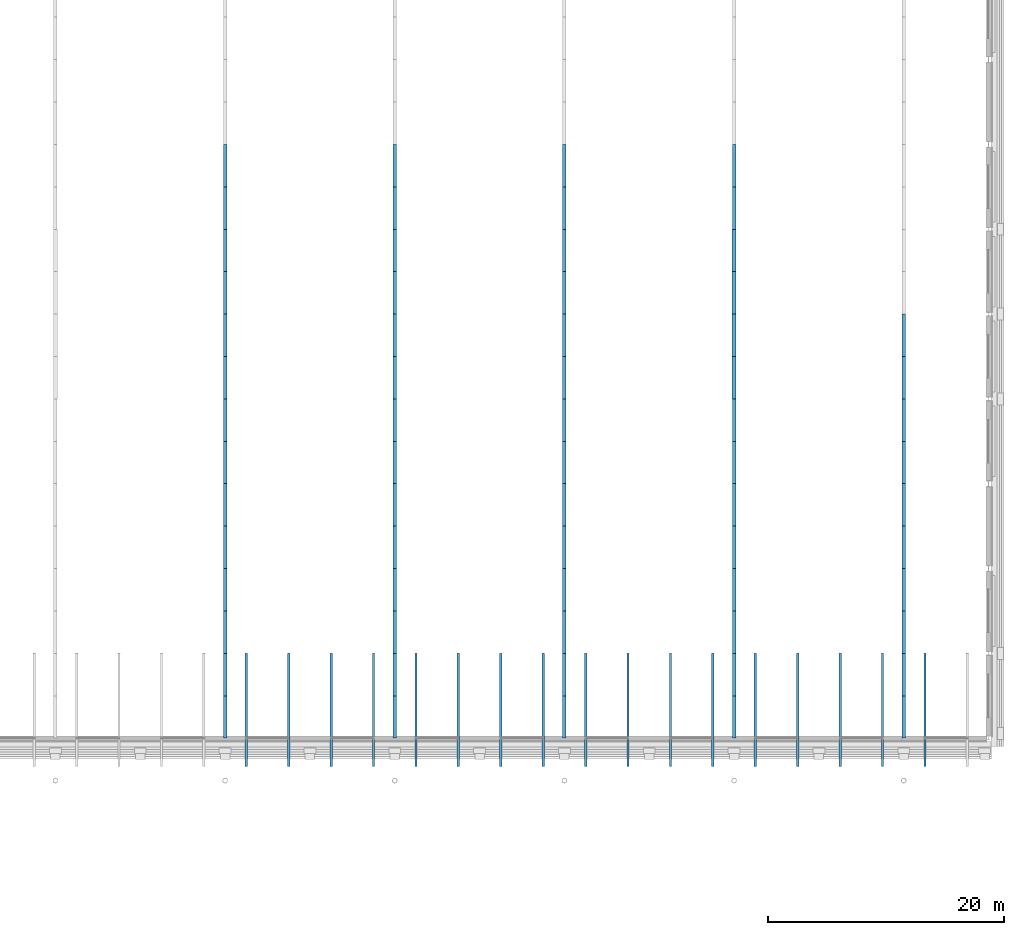
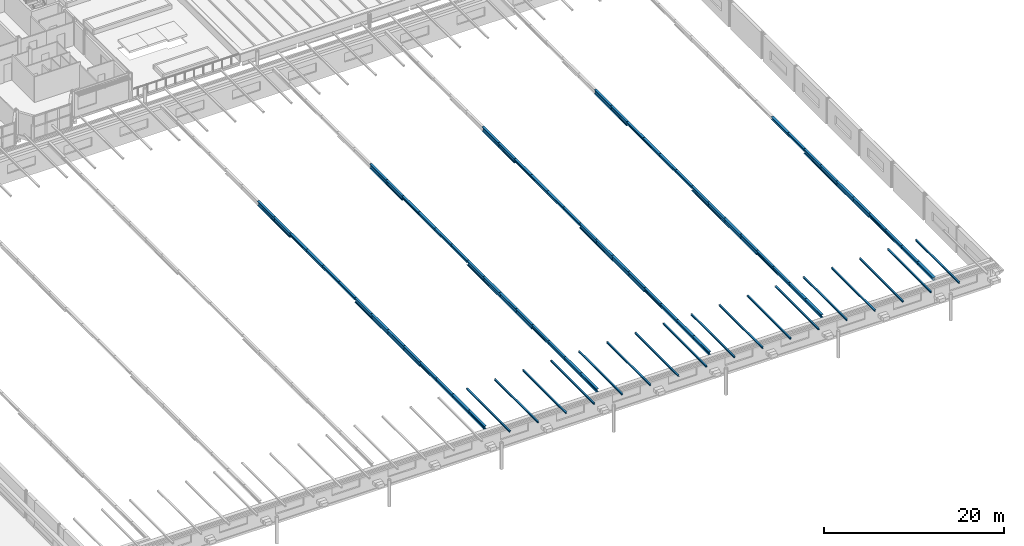
# One storey, part 30 of 110: 83 members.
"""IFC4 building model written with IfcOpenShell, lengths in metres."""

from ifc_helpers import new_model, si_unit, direction, frame, origin, origin_2d, place, context, subcontext, project, spatial, i_section, extrude, material, material_profile, profile_set, type_object, element, save


model = new_model("IFC4")

# Units and contexts
model_context = context("Model", 3, precision=1e-05, world=origin(), true_north=direction((0.0, 1.0)))
body_context = subcontext(model_context, "Body", "Model", "MODEL_VIEW")
ifc_project = project(units=[si_unit("LENGTHUNIT", "METRE"), si_unit("AREAUNIT", "SQUARE_METRE"), si_unit("VOLUMEUNIT", "CUBIC_METRE"), si_unit("PLANEANGLEUNIT", "RADIAN"), si_unit("MASSUNIT", "GRAM", prefix="KILO")], contexts=[model_context])

# Site, building, storey
site_placement = place(None, origin())
site = spatial("IfcSite", under=ifc_project, at=site_placement, CompositionType="ELEMENT")
building_placement = place(site_placement, origin())
building = spatial("IfcBuilding", under=site, at=building_placement, Name="Kupolbacken Congress Centre", CompositionType="ELEMENT")
storey_placement = place(building_placement, frame((0.0, 0.0, 18.0)))
storey = spatial("IfcBuildingStorey", under=building, at=storey_placement, Name="L05", CompositionType="ELEMENT", Elevation=18.0)

# Members
ifc_material_1 = material(Name="Steel S355", Category="steel")
ifc_material_profile_1 = material_profile(ifc_material_1, i_section(OverallWidth=0.31005859375, OverallDepth=0.340087890625, WebThickness=0.02099609375, FlangeThickness=0.0390625, FilletRadius=0.027099609375, at=origin_2d()), Name="HEM 300")
ifc_profile_set_1 = profile_set([ifc_material_profile_1], Name="Steel S355")
member_type_1 = type_object("IfcMemberType", Name="M01 transfer truss chord HEM 300", PredefinedType="CHORD", material=ifc_profile_set_1)
member_1_placement = place(storey_placement, frame((136.800048828125, 72.0, 3.429931640625), z_axis=(0.0, 1.0, 0.0), x_axis=(-1.0, 0.0, 0.0)))
element("IfcMember", 1, at=member_1_placement, inside=storey, type_object=member_type_1, Name="HT/T4/TC09", PredefinedType="CHORD", context=body_context, shape_type="SweptSolid", body=[
    extrude(i_section(OverallWidth=0.31005859375, OverallDepth=0.340087890625, WebThickness=0.02099609375, FlangeThickness=0.0390625, FilletRadius=0.027099609375, at=origin_2d()), origin(), (0.0, 0.0, 1.0), 3.60009765625),
])
member_2_placement = place(storey_placement, frame((136.800048828125, 75.60009765625, 3.429931640625), z_axis=(0.0, 1.0, 0.0), x_axis=(-1.0, 0.0, 0.0)))
element("IfcMember", 2, at=member_2_placement, inside=storey, type_object=member_type_1, Name="HT/T4/TC10", PredefinedType="CHORD", context=body_context, shape_type="SweptSolid", body=[
    extrude(i_section(OverallWidth=0.31005859375, OverallDepth=0.340087890625, WebThickness=0.02099609375, FlangeThickness=0.0390625, FilletRadius=0.027099609375, at=origin_2d()), origin(), (0.0, 0.0, 1.0), 3.599853515625),
])
member_3_placement = place(storey_placement, frame((136.800048828125, 79.199951171875, 3.429931640625), z_axis=(0.0, 1.0, 0.0), x_axis=(-1.0, 0.0, 0.0)))
element("IfcMember", 3, at=member_3_placement, inside=storey, type_object=member_type_1, Name="HT/T4/TC11", PredefinedType="CHORD", context=body_context, shape_type="SweptSolid", body=[
    extrude(i_section(OverallWidth=0.31005859375, OverallDepth=0.340087890625, WebThickness=0.02099609375, FlangeThickness=0.0390625, FilletRadius=0.027099609375, at=origin_2d()), origin(), (0.0, 0.0, 1.0), 3.60009765625),
])
member_4_placement = place(storey_placement, frame((136.800048828125, 82.800048828125, 3.429931640625), z_axis=(0.0, 1.0, 0.0), x_axis=(-1.0, 0.0, 0.0)))
element("IfcMember", 4, at=member_4_placement, inside=storey, type_object=member_type_1, Name="HT/T4/TC12", PredefinedType="CHORD", context=body_context, shape_type="SweptSolid", body=[
    extrude(i_section(OverallWidth=0.31005859375, OverallDepth=0.340087890625, WebThickness=0.02099609375, FlangeThickness=0.0390625, FilletRadius=0.027099609375, at=origin_2d()), origin(), (0.0, 0.0, 1.0), 3.599853515625),
])
member_5_placement = place(storey_placement, frame((151.199951171875, 72.0, 3.429931640625), z_axis=(0.0, 1.0, 0.0), x_axis=(-1.0, 0.0, 0.0)))
element("IfcMember", 5, at=member_5_placement, inside=storey, type_object=member_type_1, Name="HT/T5/TC09", PredefinedType="CHORD", context=body_context, shape_type="SweptSolid", body=[
    extrude(i_section(OverallWidth=0.31005859375, OverallDepth=0.340087890625, WebThickness=0.02099609375, FlangeThickness=0.0390625, FilletRadius=0.027099609375, at=origin_2d()), origin(), (0.0, 0.0, 1.0), 3.60009765625),
])
member_6_placement = place(storey_placement, frame((151.199951171875, 75.60009765625, 3.429931640625), z_axis=(0.0, 1.0, 0.0), x_axis=(-1.0, 0.0, 0.0)))
element("IfcMember", 6, at=member_6_placement, inside=storey, type_object=member_type_1, Name="HT/T5/TC10", PredefinedType="CHORD", context=body_context, shape_type="SweptSolid", body=[
    extrude(i_section(OverallWidth=0.31005859375, OverallDepth=0.340087890625, WebThickness=0.02099609375, FlangeThickness=0.0390625, FilletRadius=0.027099609375, at=origin_2d()), origin(), (0.0, 0.0, 1.0), 3.599853515625),
])
member_7_placement = place(storey_placement, frame((151.199951171875, 79.199951171875, 3.429931640625), z_axis=(0.0, 1.0, 0.0), x_axis=(-1.0, 0.0, 0.0)))
element("IfcMember", 7, at=member_7_placement, inside=storey, type_object=member_type_1, Name="HT/T5/TC11", PredefinedType="CHORD", context=body_context, shape_type="SweptSolid", body=[
    extrude(i_section(OverallWidth=0.31005859375, OverallDepth=0.340087890625, WebThickness=0.02099609375, FlangeThickness=0.0390625, FilletRadius=0.027099609375, at=origin_2d()), origin(), (0.0, 0.0, 1.0), 3.60009765625),
])
member_8_placement = place(storey_placement, frame((151.199951171875, 82.800048828125, 3.429931640625), z_axis=(0.0, 1.0, 0.0), x_axis=(-1.0, 0.0, 0.0)))
element("IfcMember", 8, at=member_8_placement, inside=storey, type_object=member_type_1, Name="HT/T5/TC12", PredefinedType="CHORD", context=body_context, shape_type="SweptSolid", body=[
    extrude(i_section(OverallWidth=0.31005859375, OverallDepth=0.340087890625, WebThickness=0.02099609375, FlangeThickness=0.0390625, FilletRadius=0.027099609375, at=origin_2d()), origin(), (0.0, 0.0, 1.0), 3.599853515625),
])
member_9_placement = place(storey_placement, frame((165.60009765625, 72.0, 3.429931640625), z_axis=(0.0, 1.0, 0.0), x_axis=(-1.0, 0.0, 0.0)))
element("IfcMember", 9, at=member_9_placement, inside=storey, type_object=member_type_1, Name="HT/T6/TC09", PredefinedType="CHORD", context=body_context, shape_type="SweptSolid", body=[
    extrude(i_section(OverallWidth=0.31005859375, OverallDepth=0.340087890625, WebThickness=0.02099609375, FlangeThickness=0.0390625, FilletRadius=0.027099609375, at=origin_2d()), origin(), (0.0, 0.0, 1.0), 3.60009765625),
])
member_10_placement = place(storey_placement, frame((165.60009765625, 75.60009765625, 3.429931640625), z_axis=(0.0, 1.0, 0.0), x_axis=(-1.0, 0.0, 0.0)))
element("IfcMember", 10, at=member_10_placement, inside=storey, type_object=member_type_1, Name="HT/T6/TC10", PredefinedType="CHORD", context=body_context, shape_type="SweptSolid", body=[
    extrude(i_section(OverallWidth=0.31005859375, OverallDepth=0.340087890625, WebThickness=0.02099609375, FlangeThickness=0.0390625, FilletRadius=0.027099609375, at=origin_2d()), origin(), (0.0, 0.0, 1.0), 3.599853515625),
])
member_11_placement = place(storey_placement, frame((165.60009765625, 79.199951171875, 3.429931640625), z_axis=(0.0, 1.0, 0.0), x_axis=(-1.0, 0.0, 0.0)))
element("IfcMember", 11, at=member_11_placement, inside=storey, type_object=member_type_1, Name="HT/T6/TC11", PredefinedType="CHORD", context=body_context, shape_type="SweptSolid", body=[
    extrude(i_section(OverallWidth=0.31005859375, OverallDepth=0.340087890625, WebThickness=0.02099609375, FlangeThickness=0.0390625, FilletRadius=0.027099609375, at=origin_2d()), origin(), (0.0, 0.0, 1.0), 3.60009765625),
])
member_12_placement = place(storey_placement, frame((165.60009765625, 82.800048828125, 3.429931640625), z_axis=(0.0, 1.0, 0.0), x_axis=(-1.0, 0.0, 0.0)))
element("IfcMember", 12, at=member_12_placement, inside=storey, type_object=member_type_1, Name="HT/T6/TC12", PredefinedType="CHORD", context=body_context, shape_type="SweptSolid", body=[
    extrude(i_section(OverallWidth=0.31005859375, OverallDepth=0.340087890625, WebThickness=0.02099609375, FlangeThickness=0.0390625, FilletRadius=0.027099609375, at=origin_2d()), origin(), (0.0, 0.0, 1.0), 3.599853515625),
])
member_13_placement = place(storey_placement, frame((180.0, 72.0, 3.429931640625), z_axis=(0.0, 1.0, 0.0), x_axis=(-1.0, 0.0, 0.0)))
element("IfcMember", 13, at=member_13_placement, inside=storey, type_object=member_type_1, Name="HT/T7/TC09", PredefinedType="CHORD", context=body_context, shape_type="SweptSolid", body=[
    extrude(i_section(OverallWidth=0.31005859375, OverallDepth=0.340087890625, WebThickness=0.02099609375, FlangeThickness=0.0390625, FilletRadius=0.027099609375, at=origin_2d()), origin(), (0.0, 0.0, 1.0), 3.60009765625),
])
member_14_placement = place(storey_placement, frame((180.0, 75.60009765625, 3.429931640625), z_axis=(0.0, 1.0, 0.0), x_axis=(-1.0, 0.0, 0.0)))
element("IfcMember", 14, at=member_14_placement, inside=storey, type_object=member_type_1, Name="HT/T7/TC10", PredefinedType="CHORD", context=body_context, shape_type="SweptSolid", body=[
    extrude(i_section(OverallWidth=0.31005859375, OverallDepth=0.340087890625, WebThickness=0.02099609375, FlangeThickness=0.0390625, FilletRadius=0.027099609375, at=origin_2d()), origin(), (0.0, 0.0, 1.0), 3.599853515625),
])
member_15_placement = place(storey_placement, frame((180.0, 79.199951171875, 3.429931640625), z_axis=(0.0, 1.0, 0.0), x_axis=(-1.0, 0.0, 0.0)))
element("IfcMember", 15, at=member_15_placement, inside=storey, type_object=member_type_1, Name="HT/T7/TC11", PredefinedType="CHORD", context=body_context, shape_type="SweptSolid", body=[
    extrude(i_section(OverallWidth=0.31005859375, OverallDepth=0.340087890625, WebThickness=0.02099609375, FlangeThickness=0.0390625, FilletRadius=0.027099609375, at=origin_2d()), origin(), (0.0, 0.0, 1.0), 3.60009765625),
])
member_16_placement = place(storey_placement, frame((180.0, 82.800048828125, 3.429931640625), z_axis=(0.0, 1.0, 0.0), x_axis=(-1.0, 0.0, 0.0)))
element("IfcMember", 16, at=member_16_placement, inside=storey, type_object=member_type_1, Name="HT/T7/TC12", PredefinedType="CHORD", context=body_context, shape_type="SweptSolid", body=[
    extrude(i_section(OverallWidth=0.31005859375, OverallDepth=0.340087890625, WebThickness=0.02099609375, FlangeThickness=0.0390625, FilletRadius=0.027099609375, at=origin_2d()), origin(), (0.0, 0.0, 1.0), 3.599853515625),
])
member_17_placement = place(storey_placement, frame((194.39990234375, 72.0, 3.429931640625), z_axis=(0.0, 1.0, 0.0), x_axis=(-1.0, 0.0, 0.0)))
element("IfcMember", 17, at=member_17_placement, inside=storey, type_object=member_type_1, Name="HT/T8/TC09", PredefinedType="CHORD", context=body_context, shape_type="SweptSolid", body=[
    extrude(i_section(OverallWidth=0.31005859375, OverallDepth=0.340087890625, WebThickness=0.02099609375, FlangeThickness=0.0390625, FilletRadius=0.027099609375, at=origin_2d()), origin(), (0.0, 0.0, 1.0), 3.60009765625),
])
member_18_placement = place(storey_placement, frame((194.39990234375, 75.60009765625, 3.429931640625), z_axis=(0.0, 1.0, 0.0), x_axis=(-1.0, 0.0, 0.0)))
element("IfcMember", 18, at=member_18_placement, inside=storey, type_object=member_type_1, Name="HT/T8/TC10", PredefinedType="CHORD", context=body_context, shape_type="SweptSolid", body=[
    extrude(i_section(OverallWidth=0.31005859375, OverallDepth=0.340087890625, WebThickness=0.02099609375, FlangeThickness=0.0390625, FilletRadius=0.027099609375, at=origin_2d()), origin(), (0.0, 0.0, 1.0), 3.599853515625),
])
ifc_material_2 = material(Name="Steel S355", Category="steel")
ifc_material_profile_2 = material_profile(ifc_material_2, i_section(OverallWidth=0.300048828125, OverallDepth=0.60009765625, WebThickness=0.015380859375, FlangeThickness=0.030029296875, FilletRadius=0.027099609375, at=origin_2d()), Name="HEB 600")
ifc_profile_set_2 = profile_set([ifc_material_profile_2], Name="Steel S355")
member_type_2 = type_object("IfcMemberType", Name="M02 transfer truss chord HEB 600", PredefinedType="CHORD", material=ifc_profile_set_2)
member_19_placement = place(storey_placement, frame((136.800048828125, 57.60009765625, 3.300048828125), z_axis=(0.0, 1.0, 0.0), x_axis=(-1.0, 0.0, 0.0)))
element("IfcMember", 19, at=member_19_placement, inside=storey, type_object=member_type_2, Name="HT/T4/TC05", PredefinedType="CHORD", context=body_context, shape_type="SweptSolid", body=[
    extrude(i_section(OverallWidth=0.300048828125, OverallDepth=0.60009765625, WebThickness=0.015380859375, FlangeThickness=0.030029296875, FilletRadius=0.027099609375, at=origin_2d()), origin(), (0.0, 0.0, 1.0), 3.599853515625),
])
member_20_placement = place(storey_placement, frame((136.800048828125, 61.199951171875, 3.300048828125), z_axis=(0.0, 1.0, 0.0), x_axis=(-1.0, 0.0, 0.0)))
element("IfcMember", 20, at=member_20_placement, inside=storey, type_object=member_type_2, Name="HT/T4/TC06", PredefinedType="CHORD", context=body_context, shape_type="SweptSolid", body=[
    extrude(i_section(OverallWidth=0.300048828125, OverallDepth=0.60009765625, WebThickness=0.015380859375, FlangeThickness=0.030029296875, FilletRadius=0.027099609375, at=origin_2d()), origin(), (0.0, 0.0, 1.0), 3.60009765625),
])
member_21_placement = place(storey_placement, frame((136.800048828125, 64.800048828125, 3.300048828125), z_axis=(0.0, 1.0, 0.0), x_axis=(-1.0, 0.0, 0.0)))
element("IfcMember", 21, at=member_21_placement, inside=storey, type_object=member_type_2, Name="HT/T4/TC07", PredefinedType="CHORD", context=body_context, shape_type="SweptSolid", body=[
    extrude(i_section(OverallWidth=0.300048828125, OverallDepth=0.60009765625, WebThickness=0.015380859375, FlangeThickness=0.030029296875, FilletRadius=0.027099609375, at=origin_2d()), origin(), (0.0, 0.0, 1.0), 3.599853515625),
])
for number, where, z_axis, x_axis, name in (
    (22, (136.800048828125, 68.39990234375, 3.300048828125), (0.0, 1.0, 0.0), (-1.0, 0.0, 0.0), "HT/T4/TC08"),
    (23, (136.800048828125, 86.39990234375, 3.300048828125), (0.0, 1.0, 0.0), (-1.0, 0.0, 0.0), "HT/T4/TC13"),
    (24, (136.800048828125, 90.0, 3.300048828125), (0.0, 1.0, 0.0), (-1.0, 0.0, 0.0), "HT/T4/TC14"),
):
    element("IfcMember", number, at=place(storey_placement, frame(where, z_axis=z_axis, x_axis=x_axis)), inside=storey, type_object=member_type_2, Name=name, PredefinedType="CHORD", context=body_context, shape_type="SweptSolid", body=[
        extrude(i_section(OverallWidth=0.300048828125, OverallDepth=0.60009765625, WebThickness=0.015380859375, FlangeThickness=0.030029296875, FilletRadius=0.027099609375, at=origin_2d()), origin(), (0.0, 0.0, 1.0), 3.60009765625),
    ])
member_22_placement = place(storey_placement, frame((151.199951171875, 57.60009765625, 3.300048828125), z_axis=(0.0, 1.0, 0.0), x_axis=(-1.0, 0.0, 0.0)))
element("IfcMember", 25, at=member_22_placement, inside=storey, type_object=member_type_2, Name="HT/T5/TC05", PredefinedType="CHORD", context=body_context, shape_type="SweptSolid", body=[
    extrude(i_section(OverallWidth=0.300048828125, OverallDepth=0.60009765625, WebThickness=0.015380859375, FlangeThickness=0.030029296875, FilletRadius=0.027099609375, at=origin_2d()), origin(), (0.0, 0.0, 1.0), 3.599853515625),
])
member_23_placement = place(storey_placement, frame((151.199951171875, 61.199951171875, 3.300048828125), z_axis=(0.0, 1.0, 0.0), x_axis=(-1.0, 0.0, 0.0)))
element("IfcMember", 26, at=member_23_placement, inside=storey, type_object=member_type_2, Name="HT/T5/TC06", PredefinedType="CHORD", context=body_context, shape_type="SweptSolid", body=[
    extrude(i_section(OverallWidth=0.300048828125, OverallDepth=0.60009765625, WebThickness=0.015380859375, FlangeThickness=0.030029296875, FilletRadius=0.027099609375, at=origin_2d()), origin(), (0.0, 0.0, 1.0), 3.60009765625),
])
member_24_placement = place(storey_placement, frame((151.199951171875, 64.800048828125, 3.300048828125), z_axis=(0.0, 1.0, 0.0), x_axis=(-1.0, 0.0, 0.0)))
element("IfcMember", 27, at=member_24_placement, inside=storey, type_object=member_type_2, Name="HT/T5/TC07", PredefinedType="CHORD", context=body_context, shape_type="SweptSolid", body=[
    extrude(i_section(OverallWidth=0.300048828125, OverallDepth=0.60009765625, WebThickness=0.015380859375, FlangeThickness=0.030029296875, FilletRadius=0.027099609375, at=origin_2d()), origin(), (0.0, 0.0, 1.0), 3.599853515625),
])
for number, where, z_axis, x_axis, name in (
    (28, (151.199951171875, 68.39990234375, 3.300048828125), (0.0, 1.0, 0.0), (-1.0, 0.0, 0.0), "HT/T5/TC08"),
    (29, (151.199951171875, 86.39990234375, 3.300048828125), (0.0, 1.0, 0.0), (-1.0, 0.0, 0.0), "HT/T5/TC13"),
    (30, (151.199951171875, 90.0, 3.300048828125), (0.0, 1.0, 0.0), (-1.0, 0.0, 0.0), "HT/T5/TC14"),
):
    element("IfcMember", number, at=place(storey_placement, frame(where, z_axis=z_axis, x_axis=x_axis)), inside=storey, type_object=member_type_2, Name=name, PredefinedType="CHORD", context=body_context, shape_type="SweptSolid", body=[
        extrude(i_section(OverallWidth=0.300048828125, OverallDepth=0.60009765625, WebThickness=0.015380859375, FlangeThickness=0.030029296875, FilletRadius=0.027099609375, at=origin_2d()), origin(), (0.0, 0.0, 1.0), 3.60009765625),
    ])
member_25_placement = place(storey_placement, frame((165.60009765625, 57.60009765625, 3.300048828125), z_axis=(0.0, 1.0, 0.0), x_axis=(-1.0, 0.0, 0.0)))
element("IfcMember", 31, at=member_25_placement, inside=storey, type_object=member_type_2, Name="HT/T6/TC05", PredefinedType="CHORD", context=body_context, shape_type="SweptSolid", body=[
    extrude(i_section(OverallWidth=0.300048828125, OverallDepth=0.60009765625, WebThickness=0.015380859375, FlangeThickness=0.030029296875, FilletRadius=0.027099609375, at=origin_2d()), origin(), (0.0, 0.0, 1.0), 3.599853515625),
])
member_26_placement = place(storey_placement, frame((165.60009765625, 61.199951171875, 3.300048828125), z_axis=(0.0, 1.0, 0.0), x_axis=(-1.0, 0.0, 0.0)))
element("IfcMember", 32, at=member_26_placement, inside=storey, type_object=member_type_2, Name="HT/T6/TC06", PredefinedType="CHORD", context=body_context, shape_type="SweptSolid", body=[
    extrude(i_section(OverallWidth=0.300048828125, OverallDepth=0.60009765625, WebThickness=0.015380859375, FlangeThickness=0.030029296875, FilletRadius=0.027099609375, at=origin_2d()), origin(), (0.0, 0.0, 1.0), 3.60009765625),
])
member_27_placement = place(storey_placement, frame((165.60009765625, 64.800048828125, 3.300048828125), z_axis=(0.0, 1.0, 0.0), x_axis=(-1.0, 0.0, 0.0)))
element("IfcMember", 33, at=member_27_placement, inside=storey, type_object=member_type_2, Name="HT/T6/TC07", PredefinedType="CHORD", context=body_context, shape_type="SweptSolid", body=[
    extrude(i_section(OverallWidth=0.300048828125, OverallDepth=0.60009765625, WebThickness=0.015380859375, FlangeThickness=0.030029296875, FilletRadius=0.027099609375, at=origin_2d()), origin(), (0.0, 0.0, 1.0), 3.599853515625),
])
for number, where, z_axis, x_axis, name in (
    (34, (165.60009765625, 68.39990234375, 3.300048828125), (0.0, 1.0, 0.0), (-1.0, 0.0, 0.0), "HT/T6/TC08"),
    (35, (165.60009765625, 86.39990234375, 3.300048828125), (0.0, 1.0, 0.0), (-1.0, 0.0, 0.0), "HT/T6/TC13"),
    (36, (165.60009765625, 90.0, 3.300048828125), (0.0, 1.0, 0.0), (-1.0, 0.0, 0.0), "HT/T6/TC14"),
):
    element("IfcMember", number, at=place(storey_placement, frame(where, z_axis=z_axis, x_axis=x_axis)), inside=storey, type_object=member_type_2, Name=name, PredefinedType="CHORD", context=body_context, shape_type="SweptSolid", body=[
        extrude(i_section(OverallWidth=0.300048828125, OverallDepth=0.60009765625, WebThickness=0.015380859375, FlangeThickness=0.030029296875, FilletRadius=0.027099609375, at=origin_2d()), origin(), (0.0, 0.0, 1.0), 3.60009765625),
    ])
member_28_placement = place(storey_placement, frame((180.0, 57.60009765625, 3.300048828125), z_axis=(0.0, 1.0, 0.0), x_axis=(-1.0, 0.0, 0.0)))
element("IfcMember", 37, at=member_28_placement, inside=storey, type_object=member_type_2, Name="HT/T7/TC05", PredefinedType="CHORD", context=body_context, shape_type="SweptSolid", body=[
    extrude(i_section(OverallWidth=0.300048828125, OverallDepth=0.60009765625, WebThickness=0.015380859375, FlangeThickness=0.030029296875, FilletRadius=0.027099609375, at=origin_2d()), origin(), (0.0, 0.0, 1.0), 3.599853515625),
])
member_29_placement = place(storey_placement, frame((180.0, 61.199951171875, 3.300048828125), z_axis=(0.0, 1.0, 0.0), x_axis=(-1.0, 0.0, 0.0)))
element("IfcMember", 38, at=member_29_placement, inside=storey, type_object=member_type_2, Name="HT/T7/TC06", PredefinedType="CHORD", context=body_context, shape_type="SweptSolid", body=[
    extrude(i_section(OverallWidth=0.300048828125, OverallDepth=0.60009765625, WebThickness=0.015380859375, FlangeThickness=0.030029296875, FilletRadius=0.027099609375, at=origin_2d()), origin(), (0.0, 0.0, 1.0), 3.60009765625),
])
member_30_placement = place(storey_placement, frame((180.0, 64.800048828125, 3.300048828125), z_axis=(0.0, 1.0, 0.0), x_axis=(-1.0, 0.0, 0.0)))
element("IfcMember", 39, at=member_30_placement, inside=storey, type_object=member_type_2, Name="HT/T7/TC07", PredefinedType="CHORD", context=body_context, shape_type="SweptSolid", body=[
    extrude(i_section(OverallWidth=0.300048828125, OverallDepth=0.60009765625, WebThickness=0.015380859375, FlangeThickness=0.030029296875, FilletRadius=0.027099609375, at=origin_2d()), origin(), (0.0, 0.0, 1.0), 3.599853515625),
])
for number, where, z_axis, x_axis, name in (
    (40, (180.0, 68.39990234375, 3.300048828125), (0.0, 1.0, 0.0), (-1.0, 0.0, 0.0), "HT/T7/TC08"),
    (41, (180.0, 86.39990234375, 3.300048828125), (0.0, 1.0, 0.0), (-1.0, 0.0, 0.0), "HT/T7/TC13"),
    (42, (180.0, 90.0, 3.300048828125), (0.0, 1.0, 0.0), (-1.0, 0.0, 0.0), "HT/T7/TC14"),
):
    element("IfcMember", number, at=place(storey_placement, frame(where, z_axis=z_axis, x_axis=x_axis)), inside=storey, type_object=member_type_2, Name=name, PredefinedType="CHORD", context=body_context, shape_type="SweptSolid", body=[
        extrude(i_section(OverallWidth=0.300048828125, OverallDepth=0.60009765625, WebThickness=0.015380859375, FlangeThickness=0.030029296875, FilletRadius=0.027099609375, at=origin_2d()), origin(), (0.0, 0.0, 1.0), 3.60009765625),
    ])
member_31_placement = place(storey_placement, frame((194.39990234375, 57.60009765625, 3.300048828125), z_axis=(0.0, 1.0, 0.0), x_axis=(-1.0, 0.0, 0.0)))
element("IfcMember", 43, at=member_31_placement, inside=storey, type_object=member_type_2, Name="HT/T8/TC05", PredefinedType="CHORD", context=body_context, shape_type="SweptSolid", body=[
    extrude(i_section(OverallWidth=0.300048828125, OverallDepth=0.60009765625, WebThickness=0.015380859375, FlangeThickness=0.030029296875, FilletRadius=0.027099609375, at=origin_2d()), origin(), (0.0, 0.0, 1.0), 3.599853515625),
])
member_32_placement = place(storey_placement, frame((194.39990234375, 61.199951171875, 3.300048828125), z_axis=(0.0, 1.0, 0.0), x_axis=(-1.0, 0.0, 0.0)))
element("IfcMember", 44, at=member_32_placement, inside=storey, type_object=member_type_2, Name="HT/T8/TC06", PredefinedType="CHORD", context=body_context, shape_type="SweptSolid", body=[
    extrude(i_section(OverallWidth=0.300048828125, OverallDepth=0.60009765625, WebThickness=0.015380859375, FlangeThickness=0.030029296875, FilletRadius=0.027099609375, at=origin_2d()), origin(), (0.0, 0.0, 1.0), 3.60009765625),
])
member_33_placement = place(storey_placement, frame((194.39990234375, 64.800048828125, 3.300048828125), z_axis=(0.0, 1.0, 0.0), x_axis=(-1.0, 0.0, 0.0)))
element("IfcMember", 45, at=member_33_placement, inside=storey, type_object=member_type_2, Name="HT/T8/TC07", PredefinedType="CHORD", context=body_context, shape_type="SweptSolid", body=[
    extrude(i_section(OverallWidth=0.300048828125, OverallDepth=0.60009765625, WebThickness=0.015380859375, FlangeThickness=0.030029296875, FilletRadius=0.027099609375, at=origin_2d()), origin(), (0.0, 0.0, 1.0), 3.599853515625),
])
member_34_placement = place(storey_placement, frame((194.39990234375, 68.39990234375, 3.300048828125), z_axis=(0.0, 1.0, 0.0), x_axis=(-1.0, 0.0, 0.0)))
element("IfcMember", 46, at=member_34_placement, inside=storey, type_object=member_type_2, Name="HT/T8/TC08", PredefinedType="CHORD", context=body_context, shape_type="SweptSolid", body=[
    extrude(i_section(OverallWidth=0.300048828125, OverallDepth=0.60009765625, WebThickness=0.015380859375, FlangeThickness=0.030029296875, FilletRadius=0.027099609375, at=origin_2d()), origin(), (0.0, 0.0, 1.0), 3.60009765625),
])
ifc_material_3 = material(Name="Steel S355", Category="steel")
ifc_material_profile_3 = material_profile(ifc_material_3, i_section(OverallWidth=0.300048828125, OverallDepth=0.43994140625, WebThickness=0.011474609375, FlangeThickness=0.02099609375, FilletRadius=0.027099609375, at=origin_2d()), Name="HEA 450")
ifc_profile_set_3 = profile_set([ifc_material_profile_3], Name="Steel S355")
member_type_3 = type_object("IfcMemberType", Name="M03 transfer truss chord HEA 450", PredefinedType="CHORD", material=ifc_profile_set_3)
member_35_placement = place(storey_placement, frame((136.800048828125, 43.199951171875, 3.3798828125), z_axis=(0.0, 1.0, 0.0), x_axis=(-1.0, 0.0, 0.0)))
element("IfcMember", 47, at=member_35_placement, inside=storey, type_object=member_type_3, Name="HT/T4/TC01", PredefinedType="CHORD", context=body_context, shape_type="SweptSolid", body=[
    extrude(i_section(OverallWidth=0.300048828125, OverallDepth=0.43994140625, WebThickness=0.011474609375, FlangeThickness=0.02099609375, FilletRadius=0.027099609375, at=origin_2d()), origin(), (0.0, 0.0, 1.0), 3.60009765625),
])
member_36_placement = place(storey_placement, frame((136.800048828125, 46.800048828125, 3.3798828125), z_axis=(0.0, 1.0, 0.0), x_axis=(-1.0, 0.0, 0.0)))
element("IfcMember", 48, at=member_36_placement, inside=storey, type_object=member_type_3, Name="HT/T4/TC02", PredefinedType="CHORD", context=body_context, shape_type="SweptSolid", body=[
    extrude(i_section(OverallWidth=0.300048828125, OverallDepth=0.43994140625, WebThickness=0.011474609375, FlangeThickness=0.02099609375, FilletRadius=0.027099609375, at=origin_2d()), origin(), (0.0, 0.0, 1.0), 3.599853515625),
])
for number, where, z_axis, x_axis, name in (
    (49, (136.800048828125, 50.39990234375, 3.3798828125), (0.0, 1.0, 0.0), (-1.0, 0.0, 0.0), "HT/T4/TC03"),
    (50, (136.800048828125, 54.0, 3.3798828125), (0.0, 1.0, 0.0), (-1.0, 0.0, 0.0), "HT/T4/TC04"),
    (51, (151.199951171875, 43.199951171875, 3.3798828125), (0.0, 1.0, 0.0), (-1.0, 0.0, 0.0), "HT/T5/TC01"),
):
    element("IfcMember", number, at=place(storey_placement, frame(where, z_axis=z_axis, x_axis=x_axis)), inside=storey, type_object=member_type_3, Name=name, PredefinedType="CHORD", context=body_context, shape_type="SweptSolid", body=[
        extrude(i_section(OverallWidth=0.300048828125, OverallDepth=0.43994140625, WebThickness=0.011474609375, FlangeThickness=0.02099609375, FilletRadius=0.027099609375, at=origin_2d()), origin(), (0.0, 0.0, 1.0), 3.60009765625),
    ])
member_37_placement = place(storey_placement, frame((151.199951171875, 46.800048828125, 3.3798828125), z_axis=(0.0, 1.0, 0.0), x_axis=(-1.0, 0.0, 0.0)))
element("IfcMember", 52, at=member_37_placement, inside=storey, type_object=member_type_3, Name="HT/T5/TC02", PredefinedType="CHORD", context=body_context, shape_type="SweptSolid", body=[
    extrude(i_section(OverallWidth=0.300048828125, OverallDepth=0.43994140625, WebThickness=0.011474609375, FlangeThickness=0.02099609375, FilletRadius=0.027099609375, at=origin_2d()), origin(), (0.0, 0.0, 1.0), 3.599853515625),
])
for number, where, z_axis, x_axis, name in (
    (53, (151.199951171875, 50.39990234375, 3.3798828125), (0.0, 1.0, 0.0), (-1.0, 0.0, 0.0), "HT/T5/TC03"),
    (54, (151.199951171875, 54.0, 3.3798828125), (0.0, 1.0, 0.0), (-1.0, 0.0, 0.0), "HT/T5/TC04"),
    (55, (165.60009765625, 43.199951171875, 3.3798828125), (0.0, 1.0, 0.0), (-1.0, 0.0, 0.0), "HT/T6/TC01"),
):
    element("IfcMember", number, at=place(storey_placement, frame(where, z_axis=z_axis, x_axis=x_axis)), inside=storey, type_object=member_type_3, Name=name, PredefinedType="CHORD", context=body_context, shape_type="SweptSolid", body=[
        extrude(i_section(OverallWidth=0.300048828125, OverallDepth=0.43994140625, WebThickness=0.011474609375, FlangeThickness=0.02099609375, FilletRadius=0.027099609375, at=origin_2d()), origin(), (0.0, 0.0, 1.0), 3.60009765625),
    ])
member_38_placement = place(storey_placement, frame((165.60009765625, 46.800048828125, 3.3798828125), z_axis=(0.0, 1.0, 0.0), x_axis=(-1.0, 0.0, 0.0)))
element("IfcMember", 56, at=member_38_placement, inside=storey, type_object=member_type_3, Name="HT/T6/TC02", PredefinedType="CHORD", context=body_context, shape_type="SweptSolid", body=[
    extrude(i_section(OverallWidth=0.300048828125, OverallDepth=0.43994140625, WebThickness=0.011474609375, FlangeThickness=0.02099609375, FilletRadius=0.027099609375, at=origin_2d()), origin(), (0.0, 0.0, 1.0), 3.599853515625),
])
for number, where, z_axis, x_axis, name in (
    (57, (165.60009765625, 50.39990234375, 3.3798828125), (0.0, 1.0, 0.0), (-1.0, 0.0, 0.0), "HT/T6/TC03"),
    (58, (165.60009765625, 54.0, 3.3798828125), (0.0, 1.0, 0.0), (-1.0, 0.0, 0.0), "HT/T6/TC04"),
    (59, (180.0, 43.199951171875, 3.3798828125), (0.0, 1.0, 0.0), (-1.0, 0.0, 0.0), "HT/T7/TC01"),
):
    element("IfcMember", number, at=place(storey_placement, frame(where, z_axis=z_axis, x_axis=x_axis)), inside=storey, type_object=member_type_3, Name=name, PredefinedType="CHORD", context=body_context, shape_type="SweptSolid", body=[
        extrude(i_section(OverallWidth=0.300048828125, OverallDepth=0.43994140625, WebThickness=0.011474609375, FlangeThickness=0.02099609375, FilletRadius=0.027099609375, at=origin_2d()), origin(), (0.0, 0.0, 1.0), 3.60009765625),
    ])
member_39_placement = place(storey_placement, frame((180.0, 46.800048828125, 3.3798828125), z_axis=(0.0, 1.0, 0.0), x_axis=(-1.0, 0.0, 0.0)))
element("IfcMember", 60, at=member_39_placement, inside=storey, type_object=member_type_3, Name="HT/T7/TC02", PredefinedType="CHORD", context=body_context, shape_type="SweptSolid", body=[
    extrude(i_section(OverallWidth=0.300048828125, OverallDepth=0.43994140625, WebThickness=0.011474609375, FlangeThickness=0.02099609375, FilletRadius=0.027099609375, at=origin_2d()), origin(), (0.0, 0.0, 1.0), 3.599853515625),
])
for number, where, z_axis, x_axis, name in (
    (61, (180.0, 50.39990234375, 3.3798828125), (0.0, 1.0, 0.0), (-1.0, 0.0, 0.0), "HT/T7/TC03"),
    (62, (180.0, 54.0, 3.3798828125), (0.0, 1.0, 0.0), (-1.0, 0.0, 0.0), "HT/T7/TC04"),
    (63, (194.39990234375, 43.199951171875, 3.3798828125), (0.0, 1.0, 0.0), (-1.0, 0.0, 0.0), "HT/T8/TC01"),
):
    element("IfcMember", number, at=place(storey_placement, frame(where, z_axis=z_axis, x_axis=x_axis)), inside=storey, type_object=member_type_3, Name=name, PredefinedType="CHORD", context=body_context, shape_type="SweptSolid", body=[
        extrude(i_section(OverallWidth=0.300048828125, OverallDepth=0.43994140625, WebThickness=0.011474609375, FlangeThickness=0.02099609375, FilletRadius=0.027099609375, at=origin_2d()), origin(), (0.0, 0.0, 1.0), 3.60009765625),
    ])
member_40_placement = place(storey_placement, frame((194.39990234375, 46.800048828125, 3.3798828125), z_axis=(0.0, 1.0, 0.0), x_axis=(-1.0, 0.0, 0.0)))
element("IfcMember", 64, at=member_40_placement, inside=storey, type_object=member_type_3, Name="HT/T8/TC02", PredefinedType="CHORD", context=body_context, shape_type="SweptSolid", body=[
    extrude(i_section(OverallWidth=0.300048828125, OverallDepth=0.43994140625, WebThickness=0.011474609375, FlangeThickness=0.02099609375, FilletRadius=0.027099609375, at=origin_2d()), origin(), (0.0, 0.0, 1.0), 3.599853515625),
])
for number, where, z_axis, x_axis, name in (
    (65, (194.39990234375, 50.39990234375, 3.3798828125), (0.0, 1.0, 0.0), (-1.0, 0.0, 0.0), "HT/T8/TC03"),
    (66, (194.39990234375, 54.0, 3.3798828125), (0.0, 1.0, 0.0), (-1.0, 0.0, 0.0), "HT/T8/TC04"),
):
    element("IfcMember", number, at=place(storey_placement, frame(where, z_axis=z_axis, x_axis=x_axis)), inside=storey, type_object=member_type_3, Name=name, PredefinedType="CHORD", context=body_context, shape_type="SweptSolid", body=[
        extrude(i_section(OverallWidth=0.300048828125, OverallDepth=0.43994140625, WebThickness=0.011474609375, FlangeThickness=0.02099609375, FilletRadius=0.027099609375, at=origin_2d()), origin(), (0.0, 0.0, 1.0), 3.60009765625),
    ])
ifc_material_4 = material(Name="Steel S355", Category="steel")
ifc_material_profile_4 = material_profile(ifc_material_4, i_section(OverallWidth=0.199951171875, OverallDepth=0.18994140625, WebThickness=0.006591796875, FlangeThickness=0.010009765625, FilletRadius=0.01806640625, at=origin_2d()), Name="HEA 200")
ifc_profile_set_4 = profile_set([ifc_material_profile_4], Name="Steel S355")
member_type_4 = type_object("IfcMemberType", Name="M14 member HEA 200", PredefinedType="BRACE", material=ifc_profile_set_4)
for number, where, z_axis, x_axis, name in (
    (67, (138.60009765625, 50.39990234375, 3.68505859375), (0.0, -1.0, 0.0), (1.0, 0.0, 0.0), "HE/S15"),
    (68, (142.199951171875, 50.39990234375, 3.68505859375), (0.0, -1.0, 0.0), (1.0, 0.0, 0.0), "HE/S16"),
    (69, (145.800048828125, 50.39990234375, 3.68505859375), (0.0, -1.0, 0.0), (1.0, 0.0, 0.0), "HE/S17"),
    (70, (149.39990234375, 50.39990234375, 3.68505859375), (0.0, -1.0, 0.0), (1.0, 0.0, 0.0), "HE/S18"),
    (71, (153.0, 50.39990234375, 3.68505859375), (0.0, -1.0, 0.0), (1.0, 0.0, 0.0), "HE/S19"),
    (72, (156.60009765625, 50.39990234375, 3.68505859375), (0.0, -1.0, 0.0), (1.0, 0.0, 0.0), "HE/S20"),
    (73, (160.199951171875, 50.39990234375, 3.68505859375), (0.0, -1.0, 0.0), (1.0, 0.0, 0.0), "HE/S21"),
    (74, (163.800048828125, 50.39990234375, 3.68505859375), (0.0, -1.0, 0.0), (1.0, 0.0, 0.0), "HE/S22"),
    (75, (167.39990234375, 50.39990234375, 3.68505859375), (0.0, -1.0, 0.0), (1.0, 0.0, 0.0), "HE/S23"),
    (76, (171.0, 50.39990234375, 3.68505859375), (0.0, -1.0, 0.0), (1.0, 0.0, 0.0), "HE/S24"),
    (77, (174.60009765625, 50.39990234375, 3.68505859375), (0.0, -1.0, 0.0), (1.0, 0.0, 0.0), "HE/S25"),
    (78, (178.199951171875, 50.39990234375, 3.68505859375), (0.0, -1.0, 0.0), (1.0, 0.0, 0.0), "HE/S26"),
    (79, (181.800048828125, 50.39990234375, 3.68505859375), (0.0, -1.0, 0.0), (1.0, 0.0, 0.0), "HE/S27"),
    (80, (185.39990234375, 50.39990234375, 3.68505859375), (0.0, -1.0, 0.0), (1.0, 0.0, 0.0), "HE/S28"),
    (81, (189.0, 50.39990234375, 3.68505859375), (0.0, -1.0, 0.0), (1.0, 0.0, 0.0), "HE/S29"),
    (82, (192.60009765625, 50.39990234375, 3.68505859375), (0.0, -1.0, 0.0), (1.0, 0.0, 0.0), "HE/S30"),
    (83, (196.199951171875, 50.39990234375, 3.68505859375), (0.0, -1.0, 0.0), (1.0, 0.0, 0.0), "HE/S31"),
):
    element("IfcMember", number, at=place(storey_placement, frame(where, z_axis=z_axis, x_axis=x_axis)), inside=storey, type_object=member_type_4, Name=name, PredefinedType="BRACE", context=body_context, shape_type="SweptSolid", body=[
        extrude(i_section(OverallWidth=0.199951171875, OverallDepth=0.18994140625, WebThickness=0.006591796875, FlangeThickness=0.010009765625, FilletRadius=0.01806640625, at=origin_2d()), origin(), (0.0, 0.0, 1.0), 9.599853515625),
    ])

save(model, "model.ifc")
